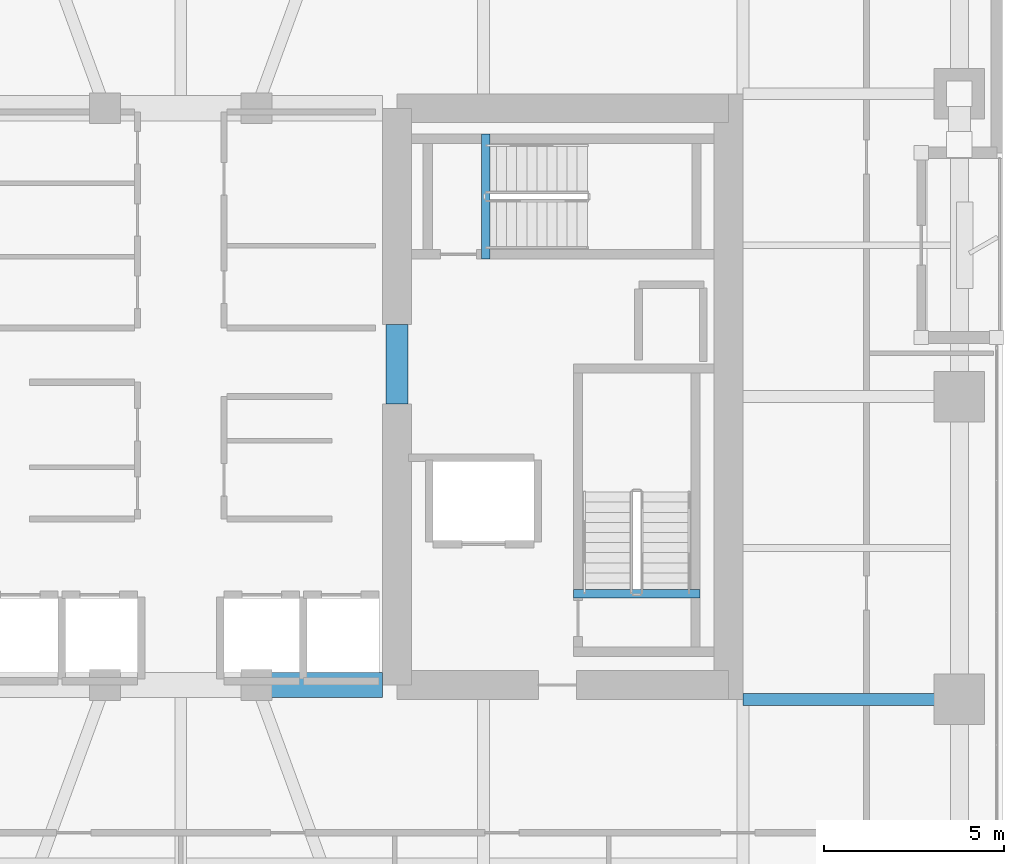
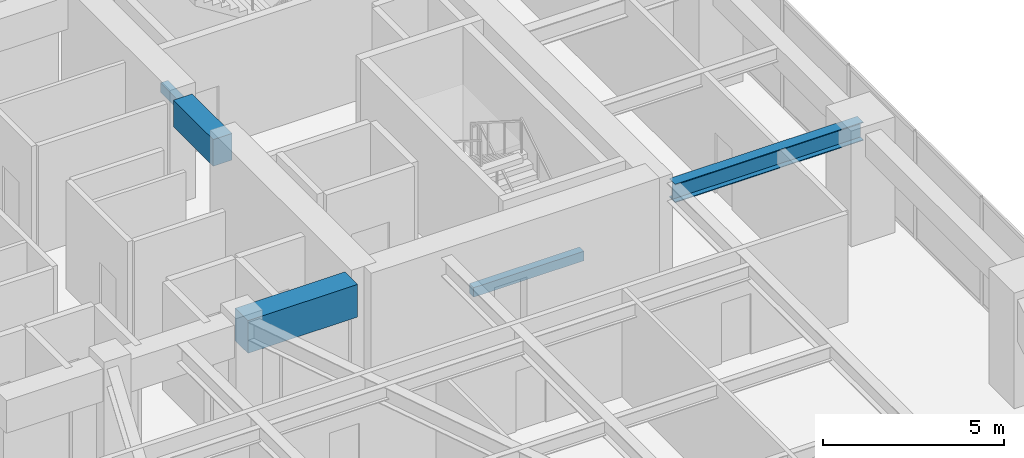
# One storey, part 5 of 24: 5 beams.
"""IFC4 building model written with IfcOpenShell, lengths in metres."""

import ifcopenshell
import ifcopenshell.guid

model = None  # the IFC model being written
_history = None  # IfcOwnerHistory: only IFC2X3 demands one
_inside = {}  # id of a spatial element -> (the spatial element, [elements in it])
_under = {}  # id of a project, library or spatial element -> (it, [spatial elements below it])
_declared = {}  # id of a project -> (the project, [libraries it declares])
_typed = {}  # id of a type object -> (the type object, [elements of that type])
_made_of = {}  # id of a material, layer set ... -> (it, [elements and type objects made of it])


def new_model(schema):
    """Start an empty IFC model of exactly this schema.

    Asked for "IFC4X3", IfcOpenShell would pick the latest addendum, in which some entities
    have other attributes; the version numbers below select the first issue.
    IFC2X3 requires an IfcOwnerHistory on every rooted entity: one is made here for all.
    """
    global model, _history
    if schema == "IFC4X3":
        model = ifcopenshell.file(schema_version=(4, 3, 0, 0))
    else:
        model = ifcopenshell.file(schema=schema)
    _inside.clear()
    _under.clear()
    _declared.clear()
    _typed.clear()
    _made_of.clear()
    _history = None
    if model.schema == "IFC2X3":
        org = make("IfcOrganization", Name="unknown")
        user = make(
            "IfcPersonAndOrganization",
            ThePerson=make("IfcPerson", FamilyName="unknown"),
            TheOrganization=org,
        )
        app = make(
            "IfcApplication",
            ApplicationDeveloper=org,
            Version="unknown",
            ApplicationFullName="unknown",
            ApplicationIdentifier="unknown",
        )
        _history = make(
            "IfcOwnerHistory",
            OwningUser=user,
            OwningApplication=app,
            ChangeAction="ADDED",
            CreationDate=0,
        )
    return model


def make(cls, **values):
    """One entity of the class cls with the attributes given. An attribute that is None is left unset."""
    return model.create_entity(
        cls, **{name: value for name, value in values.items() if value is not None}
    )


def rooted(cls, **values):
    """An entity with a GlobalId (a new one), such as an element, a storey or a relation."""
    return make(cls, GlobalId=ifcopenshell.guid.new(), OwnerHistory=_history, **values)


def si_unit(unit_type, name, prefix=None):
    """IfcSIUnit, for example si_unit("LENGTHUNIT", "METRE", prefix="MILLI")."""
    return make("IfcSIUnit", UnitType=unit_type, Prefix=prefix, Name=name)


def assignment(units):
    """IfcUnitAssignment: the units of a project."""
    return None if units is None else make("IfcUnitAssignment", Units=units)


def point(xyz):
    """IfcCartesianPoint."""
    return None if xyz is None else make("IfcCartesianPoint", Coordinates=xyz)


def direction(xyz):
    """IfcDirection."""
    return None if xyz is None else make("IfcDirection", DirectionRatios=xyz)


def frame(location, z_axis=None, x_axis=None):
    """IfcAxis2Placement3D, a coordinate frame: its origin and axes. An axis left out is left unset."""
    return make(
        "IfcAxis2Placement3D",
        Location=point(location),
        Axis=direction(z_axis),
        RefDirection=direction(x_axis),
    )


def frame_2d(location, x_axis=None):
    """IfcAxis2Placement2D, a coordinate frame in the plane: its origin and x axis."""
    return make(
        "IfcAxis2Placement2D", Location=point(location), RefDirection=direction(x_axis)
    )


def origin():
    """The frame at (0, 0, 0) with its axes left unset."""
    return frame((0.0, 0.0, 0.0))


def origin_2d():
    """The frame at (0, 0) in the plane with its x axis left unset."""
    return frame_2d((0.0, 0.0))


def place(relative_to, where):
    """IfcLocalPlacement: puts the frame where relative to a parent placement (None: the world)."""
    return make(
        "IfcLocalPlacement", PlacementRelTo=relative_to, RelativePlacement=where
    )


def context(
    kind, dimensions, precision=None, world=None, true_north=None, identifier=None
):
    """IfcGeometricRepresentationContext, for example the 3D "Model" context."""
    return make(
        "IfcGeometricRepresentationContext",
        ContextIdentifier=identifier,
        ContextType=kind,
        CoordinateSpaceDimension=dimensions,
        Precision=precision,
        WorldCoordinateSystem=world,
        TrueNorth=true_north,
    )


def subcontext(parent, identifier, kind, view, scale=None):
    """IfcGeometricRepresentationSubContext, for example "Body" below "Model"."""
    return make(
        "IfcGeometricRepresentationSubContext",
        ContextIdentifier=identifier,
        ContextType=kind,
        ParentContext=parent,
        TargetScale=scale,
        TargetView=view,
    )


def project(units=None, contexts=None):
    """IfcProject with its units and contexts."""
    return rooted(
        "IfcProject",
        Name="project",
        RepresentationContexts=contexts,
        UnitsInContext=assignment(units),
    )


def spatial(cls, under=None, at=None, **own):
    """A site, building, storey or space (cls), placed at a placement, below another one or the project."""
    s = rooted(cls, ObjectPlacement=at, **own)
    if under is not None:
        _under.setdefault(under.id(), (under, []))[1].append(s)
    return s


def profile(cls, at=None, kind="AREA", **sizes):
    """A parametric profile (cls). Its sizes go by their IFC names, for example OverallWidth=200.0."""
    return make(cls, ProfileType=kind, Position=at, **sizes)


def rectangle(**sizes):
    """IfcRectangleProfileDef."""
    return profile("IfcRectangleProfileDef", **sizes)


def i_section(**sizes):
    """IfcIShapeProfileDef."""
    return profile("IfcIShapeProfileDef", **sizes)


def extrude(swept, where, along, depth):
    """IfcExtrudedAreaSolid: the profile swept, set in the frame where, extruded along a direction by depth."""
    return make(
        "IfcExtrudedAreaSolid",
        SweptArea=swept,
        Position=where,
        ExtrudedDirection=direction(along),
        Depth=depth,
    )


def shape(context_of_items, identifier, shape_type, items):
    """IfcShapeRepresentation: the items that make up one representation, for example the "Body"."""
    return make(
        "IfcShapeRepresentation",
        ContextOfItems=context_of_items,
        RepresentationIdentifier=identifier,
        RepresentationType=shape_type,
        Items=items,
    )


def material(Name=None, Category=None):
    """IfcMaterial."""
    return make("IfcMaterial", Name=Name, Category=Category)


def material_profile(
    of_material, cross_section, Name=None, Category=None, Priority=None
):
    """IfcMaterialProfile: a cross section and its material."""
    return make(
        "IfcMaterialProfile",
        Name=Name,
        Material=of_material,
        Profile=cross_section,
        Priority=Priority,
        Category=Category,
    )


def profile_set(profiles, Name=None, composite=None):
    """IfcMaterialProfileSet."""
    return make(
        "IfcMaterialProfileSet",
        Name=Name,
        MaterialProfiles=profiles,
        CompositeProfile=composite,
    )


def made_of(thing, what):
    """Note that an element or type object is made of a material, layer set ...; save() writes the relation."""
    if what is not None:
        _made_of.setdefault(what.id(), (what, []))[1].append(thing)
    return thing


def type_object(cls, material=None, **own):
    """A type object (cls), such as IfcWallType, which elements share."""
    return made_of(rooted(cls, **own), material)


def element(
    cls,
    number,
    at=None,
    inside=None,
    cuts=None,
    type_object=None,
    material=None,
    context=None,
    identifier="Body",
    shape_type=None,
    held_by="IfcProductDefinitionShape",
    body=None,
    shapes=None,
    **own,
):
    """One element of the class cls, such as IfcWall. Its Tag is "e" and its number.

    at: its placement. inside: the storey or other place that contains it. cuts: it is an
    opening in that element (IfcRelVoidsElement). A single representation is given by context,
    identifier, shape_type and body (its items); several are given by shapes. held_by: the class
    of the entity that holds the representations. save() writes the other relations.
    """
    e = rooted(cls, Tag="e%d" % number, ObjectPlacement=at, **own)
    if body is not None:
        shapes = [shape(context, identifier, shape_type, body)]
    if shapes is not None:
        e.Representation = make(held_by, Representations=shapes)
    if inside is not None:
        _inside.setdefault(inside.id(), (inside, []))[1].append(e)
    if cuts is not None:
        rooted(
            "IfcRelVoidsElement", RelatingBuildingElement=cuts, RelatedOpeningElement=e
        )
    if type_object is not None:
        _typed.setdefault(type_object.id(), (type_object, []))[1].append(e)
    return made_of(e, material)


def aggregate(whole, parts):
    """IfcRelAggregates: a whole, such as a stair, and the parts it consists of."""
    return rooted("IfcRelAggregates", RelatingObject=whole, RelatedObjects=parts)


def save(model, path):
    """Write the relations noted so far, then the file.

    IfcRelAggregates (storeys below a building ...), IfcRelContainedInSpatialStructure (elements
    in a storey), IfcRelDefinesByType, IfcRelAssociatesMaterial and IfcRelDeclares: one each for
    every whole, place, type object, material and project.
    """
    for whole, parts in _under.values():
        aggregate(whole, parts)
    for where, things in _inside.values():
        rooted(
            "IfcRelContainedInSpatialStructure",
            RelatedElements=things,
            RelatingStructure=where,
        )
    for kind, things in _typed.values():
        rooted("IfcRelDefinesByType", RelatedObjects=things, RelatingType=kind)
    for what, things in _made_of.values():
        rooted("IfcRelAssociatesMaterial", RelatedObjects=things, RelatingMaterial=what)
    for by, libraries in _declared.values():
        rooted("IfcRelDeclares", RelatingContext=by, RelatedDefinitions=libraries)
    model.write(path)


model = new_model("IFC4")

# Units and contexts
model_context = context("Model", 3, precision=1e-05, world=origin(), true_north=direction((0.0, 1.0)))
body_context = subcontext(model_context, "Body", "Model", "MODEL_VIEW")
ifc_project = project(units=[si_unit("LENGTHUNIT", "METRE"), si_unit("AREAUNIT", "SQUARE_METRE"), si_unit("VOLUMEUNIT", "CUBIC_METRE"), si_unit("PLANEANGLEUNIT", "RADIAN"), si_unit("MASSUNIT", "GRAM", prefix="KILO")], contexts=[model_context])

# Site, building, storey
site_placement = place(None, origin())
site = spatial("IfcSite", under=ifc_project, at=site_placement, CompositionType="ELEMENT")
building_placement = place(site_placement, origin())
building = spatial("IfcBuilding", under=site, at=building_placement, Name="Kiyonajd Concourse Tower", CompositionType="ELEMENT")
storey_placement = place(building_placement, frame((0.0, 0.0, 101.39990234375)))
storey = spatial("IfcBuildingStorey", under=building, at=storey_placement, Name="L26", CompositionType="ELEMENT", Elevation=101.39990234375)

# Beams
ifc_material_1 = material(Name="Concrete C70/85", Category="concrete")
ifc_material_profile_1 = material_profile(ifc_material_1, rectangle(XDim=0.699951171875, YDim=1.10009765625, at=origin_2d()), Name="RCBM-700x1100")
ifc_profile_set_1 = profile_set([ifc_material_profile_1], Name="Concrete C70/85")
beam_type_1 = type_object("IfcBeamType", Name="BM-COUP-1100", PredefinedType="LINTEL", material=ifc_profile_set_1)
beam_1_placement = place(storey_placement, frame((50.10009765625, 28.0, 3.090087890625), z_axis=(1.0, 0.0, 0.0), x_axis=(0.0, 1.0, 0.0)))
element("IfcBeam", 1, at=beam_1_placement, inside=storey, type_object=beam_type_1, Name="L26 Core Coupling Beam S3", PredefinedType="LINTEL", context=body_context, shape_type="SweptSolid", body=[
    extrude(rectangle(XDim=0.699951171875, YDim=1.10009765625, at=origin_2d()), origin(), (0.0, 0.0, 1.0), 3.5),
])
ifc_material_2 = material(Name="Concrete C60/75", Category="concrete")
ifc_material_profile_2 = material_profile(ifc_material_2, rectangle(XDim=0.60009765625, YDim=0.89990234375, at=origin_2d()), Name="RCBM-600x900")
ifc_profile_set_2 = profile_set([ifc_material_profile_2], Name="Concrete C60/75")
beam_type_2 = type_object("IfcBeamType", Name="BM-COUP-900", PredefinedType="LINTEL", material=ifc_profile_set_2)
beam_2_placement = place(storey_placement, frame((54.0, 35.800048828125, 3.090087890625), z_axis=(0.0, 1.0, 0.0), x_axis=(-1.0, 0.0, 0.0)))
element("IfcBeam", 2, at=beam_2_placement, inside=storey, type_object=beam_type_2, Name="L26 East Core Throat Coupling Lintel", PredefinedType="LINTEL", context=body_context, shape_type="SweptSolid", body=[
    extrude(rectangle(XDim=0.60009765625, YDim=0.89990234375, at=origin_2d()), origin(), (0.0, 0.0, 1.0), 2.199951171875),
])
ifc_material_3 = material(Name="Concrete C50/60", Category="concrete")
ifc_material_profile_3 = material_profile(ifc_material_3, rectangle(XDim=0.239990234375, YDim=0.320068359375, at=origin_2d()), Name="RCBM-240x320")
ifc_profile_set_3 = profile_set([ifc_material_profile_3], Name="Concrete C50/60")
beam_type_3 = type_object("IfcBeamType", Name="BM-LNT-250", PredefinedType="LINTEL", material=ifc_profile_set_3)
beam_3_placement = place(storey_placement, frame((58.889892578125, 30.530029296875, -0.159912109375), z_axis=(1.0, 0.0, 0.0), x_axis=(0.0, 1.0, 0.0)))
element("IfcBeam", 3, at=beam_3_placement, inside=storey, type_object=beam_type_3, Name="L26 Stair ST2 Threshold Support Beam", PredefinedType="LINTEL", context=body_context, shape_type="SweptSolid", body=[
    extrude(rectangle(XDim=0.239990234375, YDim=0.320068359375, at=origin_2d()), origin(), (0.0, 0.0, 1.0), 3.52001953125),
])
beam_4_placement = place(storey_placement, frame((56.4599609375, 39.820068359375, -0.159912109375), z_axis=(0.0, 1.0, 0.0), x_axis=(-1.0, 0.0, 0.0)))
element("IfcBeam", 4, at=beam_4_placement, inside=storey, type_object=beam_type_3, Name="L26 Stair ST3 Threshold Support Beam", PredefinedType="LINTEL", context=body_context, shape_type="SweptSolid", body=[
    extrude(rectangle(XDim=0.239990234375, YDim=0.320068359375, at=origin_2d()), origin(), (0.0, 0.0, 1.0), 3.4599609375),
])
ifc_material_4 = material(Name="Steel ASTM A992 Grade 50", Category="steel")
ifc_material_profile_4 = material_profile(ifc_material_4, i_section(OverallWidth=0.326904296875, OverallDepth=0.6220703125, WebThickness=0.015380859375, FlangeThickness=0.0244140625, at=origin_2d()), Name="W610X195")
ifc_profile_set_4 = profile_set([ifc_material_profile_4], Name="Steel ASTM A992 Grade 50")
beam_type_4 = type_object("IfcBeamType", Name="BM-TWR-610A", PredefinedType="BEAM", material=ifc_profile_set_4)
beam_5_placement = place(storey_placement, frame((63.60009765625, 27.60009765625, 3.3291015625), z_axis=(1.0, 0.0, 0.0), x_axis=(0.0, 1.0, 0.0)))
element("IfcBeam", 5, at=beam_5_placement, inside=storey, type_object=beam_type_4, Name="L26 East Lease Girder", PredefinedType="BEAM", context=body_context, shape_type="SweptSolid", body=[
    extrude(i_section(OverallWidth=0.326904296875, OverallDepth=0.6220703125, WebThickness=0.015380859375, FlangeThickness=0.0244140625, at=origin_2d()), origin(), (0.0, 0.0, 1.0), 6.0),
])

save(model, "model.ifc")
